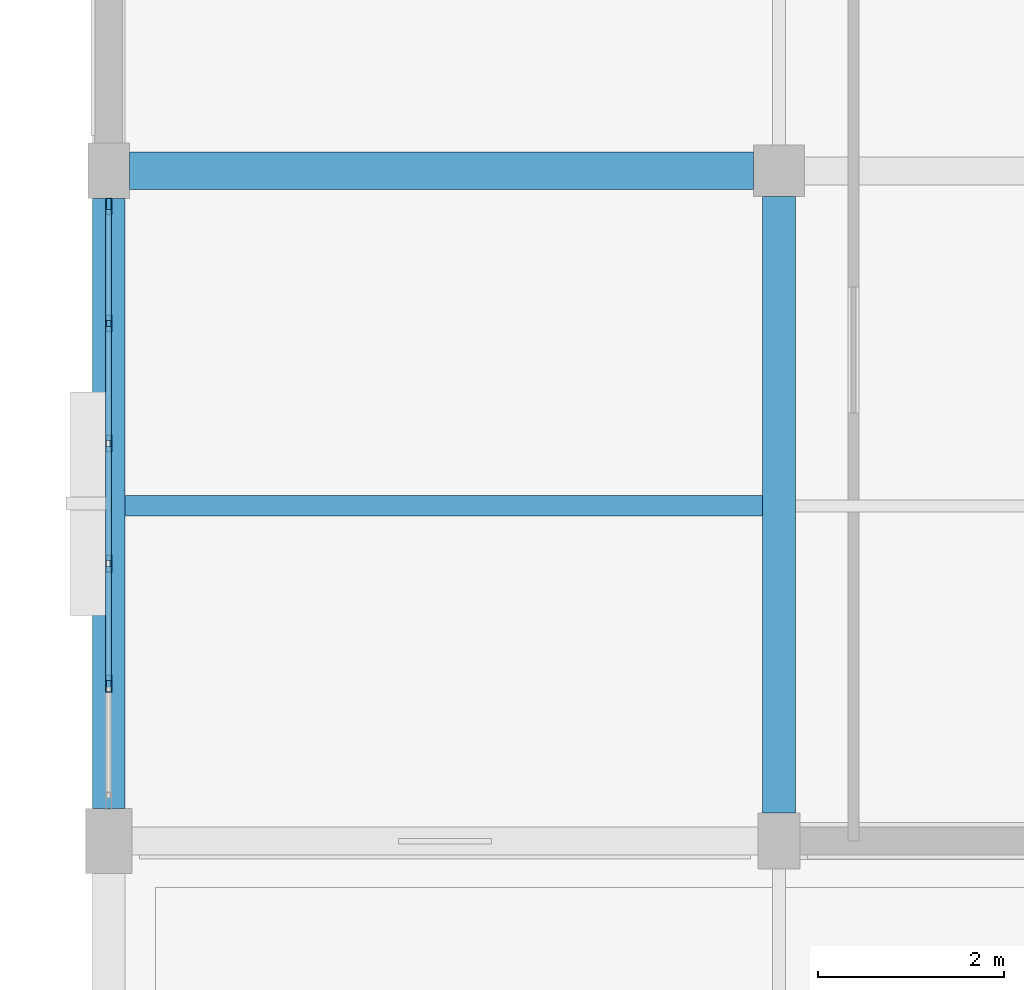
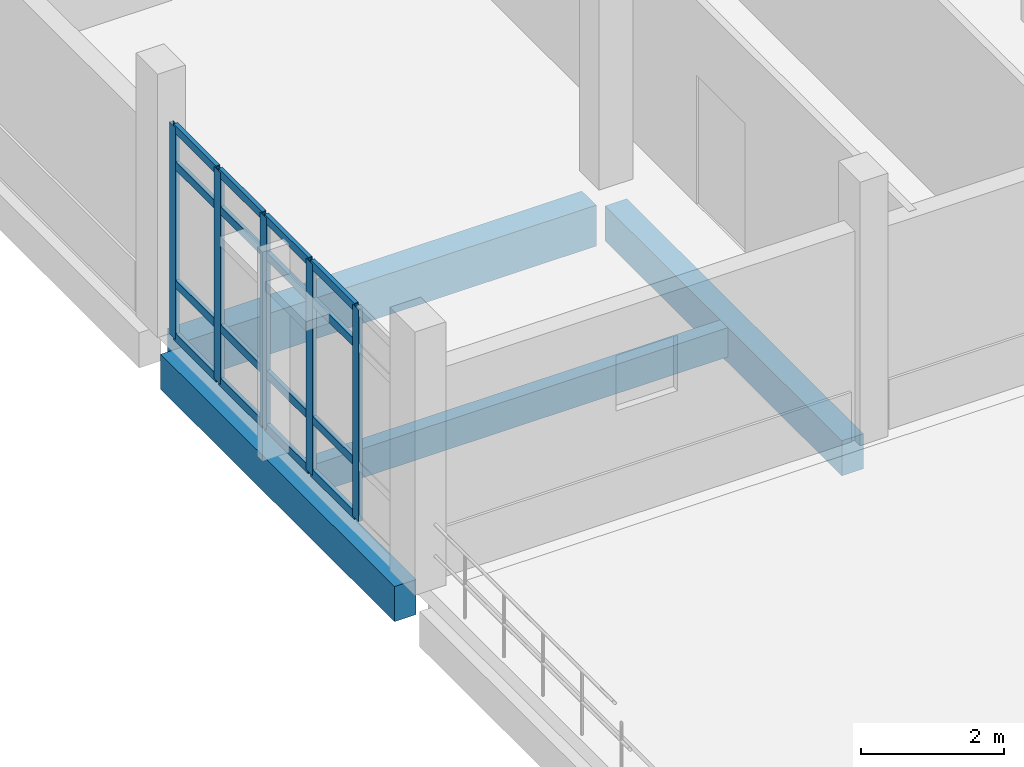
# One storey, part 6 of 57: 21 members, 4 beams, 1 element without a shape of its own.
"""IFC4 building model written with IfcOpenShell, lengths in metres."""

from ifc_helpers import new_model, si_unit, direction, frame, origin, origin_2d, place, context, subcontext, project, spatial, rectangle, hollow_rectangle, extrude, material, material_profile, profile_set, type_object, element, aggregate, save


model = new_model("IFC4")

# Units and contexts
model_context = context("Model", 3, precision=1e-05, world=origin(), true_north=direction((0.0, 1.0)))
body_context = subcontext(model_context, "Body", "Model", "MODEL_VIEW")
ifc_project = project(units=[si_unit("LENGTHUNIT", "METRE"), si_unit("AREAUNIT", "SQUARE_METRE"), si_unit("VOLUMEUNIT", "CUBIC_METRE"), si_unit("PLANEANGLEUNIT", "RADIAN"), si_unit("MASSUNIT", "GRAM", prefix="KILO")], contexts=[model_context])

# Site, building, storey
site_placement = place(None, origin())
site = spatial("IfcSite", under=ifc_project, at=site_placement, CompositionType="ELEMENT")
building_placement = place(site_placement, origin())
building = spatial("IfcBuilding", under=site, at=building_placement, Name="Kalluvel Institute of Natural Sciences", CompositionType="ELEMENT")
storey_placement = place(building_placement, frame((0.0, 0.0, 23.39990234375)))
storey = spatial("IfcBuildingStorey", under=building, at=storey_placement, Name="L05", CompositionType="ELEMENT", Elevation=23.39990234375)

# Beam
ifc_material_1 = material(Name="Concrete M40", Category="concrete")
ifc_material_profile_1 = material_profile(ifc_material_1, rectangle(XDim=0.35009765625, YDim=0.60009765625, at=origin_2d()), Name="RCB 350x600")
ifc_profile_set_1 = profile_set([ifc_material_profile_1], Name="Concrete M40")
beam_type_1 = type_object("IfcBeamType", Name="BM-RC350x600", PredefinedType="BEAM", material=ifc_profile_set_1)
beam_1_placement = place(storey_placement, frame((21.199951171875, 28.699951171875, -0.599853515625), z_axis=(0.0, 1.0, 0.0), x_axis=(-1.0, 0.0, 0.0)))
element("IfcBeam", 1, at=beam_1_placement, inside=storey, type_object=beam_type_1, Name="L05 girder GIR-L05-NS-X212-Y284", PredefinedType="BEAM", context=body_context, shape_type="SweptSolid", body=[
    extrude(rectangle(XDim=0.35009765625, YDim=0.60009765625, at=origin_2d()), origin(), (0.0, 0.0, 1.0), 6.625),
])

# Curtain wall, members
ifc_material_2 = material(Name="Aluminium AW-6063 T6", Category="aluminium")
curtain_wall_type = type_object("IfcCurtainWallType", Name="CW-DRY-45", PredefinedType="USERDEFINED", material=ifc_material_2)
curtain_wall_placement = place(storey_placement, origin())
curtain_wall = element("IfcCurtainWall", 2, at=curtain_wall_placement, inside=storey, type_object=curtain_wall_type, Name="L05 Gothic lancet curtain wall CWA-L05-X140-Y288", ObjectType="UNITISED LANCET FACADE", PredefinedType="USERDEFINED")
ifc_material_profile_2 = material_profile(ifc_material_2, hollow_rectangle(XDim=0.06494140625, YDim=0.179931640625, WallThickness=0.00439453125, at=origin_2d()), Name="CWM 65x180")
ifc_profile_set_2 = profile_set([ifc_material_profile_2], Name="Aluminium AW-6063 T6")
member_type_1 = type_object("IfcMemberType", Name="CWM-65x180", PredefinedType="MULLION", material=ifc_profile_set_2)
member_1_placement = place(storey_placement, frame((14.0, 30.090087890625, 0.0), z_axis=(0.0, 0.0, 1.0), x_axis=(-1.0, 0.0, 0.0)))
member_1 = element("IfcMember", 3, at=member_1_placement, type_object=member_type_1, Name="CW-03 mullion 2", PredefinedType="MULLION", context=body_context, shape_type="SweptSolid", body=[
    extrude(hollow_rectangle(XDim=0.06494140625, YDim=0.179931640625, WallThickness=0.00439453125, at=origin_2d()), origin(), (0.0, 0.0, 1.0), 3.6201171875),
])
member_2_placement = place(storey_placement, frame((14.0, 31.3798828125, 0.0), z_axis=(0.0, 0.0, 1.0), x_axis=(-1.0, 0.0, 0.0)))
member_2 = element("IfcMember", 4, at=member_2_placement, type_object=member_type_1, Name="CW-03 mullion 3", PredefinedType="MULLION", context=body_context, shape_type="SweptSolid", body=[
    extrude(hollow_rectangle(XDim=0.06494140625, YDim=0.179931640625, WallThickness=0.00439453125, at=origin_2d()), origin(), (0.0, 0.0, 1.0), 3.6201171875),
])
member_3_placement = place(storey_placement, frame((14.0, 32.669921875, 0.0), z_axis=(0.0, 0.0, 1.0), x_axis=(-1.0, 0.0, 0.0)))
member_3 = element("IfcMember", 5, at=member_3_placement, type_object=member_type_1, Name="CW-03 mullion 4", PredefinedType="MULLION", context=body_context, shape_type="SweptSolid", body=[
    extrude(hollow_rectangle(XDim=0.06494140625, YDim=0.179931640625, WallThickness=0.00439453125, at=origin_2d()), origin(), (0.0, 0.0, 1.0), 3.6201171875),
])
member_4_placement = place(storey_placement, frame((14.0, 33.9599609375, 0.0), z_axis=(0.0, 0.0, 1.0), x_axis=(-1.0, 0.0, 0.0)))
member_4 = element("IfcMember", 6, at=member_4_placement, type_object=member_type_1, Name="CW-03 mullion 5", PredefinedType="MULLION", context=body_context, shape_type="SweptSolid", body=[
    extrude(hollow_rectangle(XDim=0.06494140625, YDim=0.179931640625, WallThickness=0.00439453125, at=origin_2d()), origin(), (0.0, 0.0, 1.0), 3.6201171875),
])
member_5_placement = place(storey_placement, frame((14.0, 35.217529296875, 0.0), z_axis=(0.0, 0.0, 1.0), x_axis=(-1.0, 0.0, 0.0)))
member_5 = element("IfcMember", 7, at=member_5_placement, type_object=member_type_1, Name="CW-03 mullion 6", PredefinedType="MULLION", context=body_context, shape_type="SweptSolid", body=[
    extrude(hollow_rectangle(XDim=0.06494140625, YDim=0.179931640625, WallThickness=0.00439453125, at=origin_2d()), origin(), (0.0, 0.0, 1.0), 3.6201171875),
])
ifc_material_profile_3 = material_profile(ifc_material_2, hollow_rectangle(XDim=0.06494140625, YDim=0.139892578125, WallThickness=0.00439453125, at=origin_2d()), Name="CWT 65x140")
ifc_profile_set_3 = profile_set([ifc_material_profile_3], Name="Aluminium AW-6063 T6")
member_type_2 = type_object("IfcMemberType", Name="CWT-65x140", PredefinedType="USERDEFINED", material=ifc_profile_set_3)
member_6_placement = place(storey_placement, frame((14.0, 30.12255859375, 0.03271484375), z_axis=(0.0, 1.0, 0.0), x_axis=(-1.0, 0.0, 0.0)))
member_6 = element("IfcMember", 8, at=member_6_placement, type_object=member_type_2, Name="CW-03 transom 2.1", ObjectType="TRANSOM", PredefinedType="USERDEFINED", context=body_context, shape_type="SweptSolid", body=[
    extrude(hollow_rectangle(XDim=0.06494140625, YDim=0.139892578125, WallThickness=0.00439453125, at=origin_2d()), origin(), (0.0, 0.0, 1.0), 1.224853515625),
])
member_7_placement = place(storey_placement, frame((14.0, 30.12255859375, 0.9501953125), z_axis=(0.0, 1.0, 0.0), x_axis=(-1.0, 0.0, 0.0)))
member_7 = element("IfcMember", 9, at=member_7_placement, type_object=member_type_2, Name="CW-03 transom 2.2", ObjectType="TRANSOM", PredefinedType="USERDEFINED", context=body_context, shape_type="SweptSolid", body=[
    extrude(hollow_rectangle(XDim=0.06494140625, YDim=0.139892578125, WallThickness=0.00439453125, at=origin_2d()), origin(), (0.0, 0.0, 1.0), 1.224853515625),
])
member_8_placement = place(storey_placement, frame((14.0, 30.12255859375, 2.97021484375), z_axis=(0.0, 1.0, 0.0), x_axis=(-1.0, 0.0, 0.0)))
member_8 = element("IfcMember", 10, at=member_8_placement, type_object=member_type_2, Name="CW-03 transom 2.3", ObjectType="TRANSOM", PredefinedType="USERDEFINED", context=body_context, shape_type="SweptSolid", body=[
    extrude(hollow_rectangle(XDim=0.06494140625, YDim=0.139892578125, WallThickness=0.00439453125, at=origin_2d()), origin(), (0.0, 0.0, 1.0), 1.224853515625),
])
member_9_placement = place(storey_placement, frame((14.0, 30.12255859375, 3.587646484375), z_axis=(0.0, 1.0, 0.0), x_axis=(-1.0, 0.0, 0.0)))
member_9 = element("IfcMember", 11, at=member_9_placement, type_object=member_type_2, Name="CW-03 transom 2.4", ObjectType="TRANSOM", PredefinedType="USERDEFINED", context=body_context, shape_type="SweptSolid", body=[
    extrude(hollow_rectangle(XDim=0.06494140625, YDim=0.139892578125, WallThickness=0.00439453125, at=origin_2d()), origin(), (0.0, 0.0, 1.0), 1.224853515625),
])
member_10_placement = place(storey_placement, frame((14.0, 31.41259765625, 0.03271484375), z_axis=(0.0, 1.0, 0.0), x_axis=(-1.0, 0.0, 0.0)))
member_10 = element("IfcMember", 12, at=member_10_placement, type_object=member_type_2, Name="CW-03 transom 3.1", ObjectType="TRANSOM", PredefinedType="USERDEFINED", context=body_context, shape_type="SweptSolid", body=[
    extrude(hollow_rectangle(XDim=0.06494140625, YDim=0.139892578125, WallThickness=0.00439453125, at=origin_2d()), origin(), (0.0, 0.0, 1.0), 1.224853515625),
])
member_11_placement = place(storey_placement, frame((14.0, 31.41259765625, 0.9501953125), z_axis=(0.0, 1.0, 0.0), x_axis=(-1.0, 0.0, 0.0)))
member_11 = element("IfcMember", 13, at=member_11_placement, type_object=member_type_2, Name="CW-03 transom 3.2", ObjectType="TRANSOM", PredefinedType="USERDEFINED", context=body_context, shape_type="SweptSolid", body=[
    extrude(hollow_rectangle(XDim=0.06494140625, YDim=0.139892578125, WallThickness=0.00439453125, at=origin_2d()), origin(), (0.0, 0.0, 1.0), 1.224853515625),
])
member_12_placement = place(storey_placement, frame((14.0, 31.41259765625, 2.97021484375), z_axis=(0.0, 1.0, 0.0), x_axis=(-1.0, 0.0, 0.0)))
member_12 = element("IfcMember", 14, at=member_12_placement, type_object=member_type_2, Name="CW-03 transom 3.3", ObjectType="TRANSOM", PredefinedType="USERDEFINED", context=body_context, shape_type="SweptSolid", body=[
    extrude(hollow_rectangle(XDim=0.06494140625, YDim=0.139892578125, WallThickness=0.00439453125, at=origin_2d()), origin(), (0.0, 0.0, 1.0), 1.224853515625),
])
member_13_placement = place(storey_placement, frame((14.0, 31.41259765625, 3.587646484375), z_axis=(0.0, 1.0, 0.0), x_axis=(-1.0, 0.0, 0.0)))
member_13 = element("IfcMember", 15, at=member_13_placement, type_object=member_type_2, Name="CW-03 transom 3.4", ObjectType="TRANSOM", PredefinedType="USERDEFINED", context=body_context, shape_type="SweptSolid", body=[
    extrude(hollow_rectangle(XDim=0.06494140625, YDim=0.139892578125, WallThickness=0.00439453125, at=origin_2d()), origin(), (0.0, 0.0, 1.0), 1.224853515625),
])
member_14_placement = place(storey_placement, frame((14.0, 32.702392578125, 0.03271484375), z_axis=(0.0, 1.0, 0.0), x_axis=(-1.0, 0.0, 0.0)))
member_14 = element("IfcMember", 16, at=member_14_placement, type_object=member_type_2, Name="CW-03 transom 4.1", ObjectType="TRANSOM", PredefinedType="USERDEFINED", context=body_context, shape_type="SweptSolid", body=[
    extrude(hollow_rectangle(XDim=0.06494140625, YDim=0.139892578125, WallThickness=0.00439453125, at=origin_2d()), origin(), (0.0, 0.0, 1.0), 1.22509765625),
])
member_15_placement = place(storey_placement, frame((14.0, 32.702392578125, 0.9501953125), z_axis=(0.0, 1.0, 0.0), x_axis=(-1.0, 0.0, 0.0)))
member_15 = element("IfcMember", 17, at=member_15_placement, type_object=member_type_2, Name="CW-03 transom 4.2", ObjectType="TRANSOM", PredefinedType="USERDEFINED", context=body_context, shape_type="SweptSolid", body=[
    extrude(hollow_rectangle(XDim=0.06494140625, YDim=0.139892578125, WallThickness=0.00439453125, at=origin_2d()), origin(), (0.0, 0.0, 1.0), 1.22509765625),
])
member_16_placement = place(storey_placement, frame((14.0, 32.702392578125, 2.97021484375), z_axis=(0.0, 1.0, 0.0), x_axis=(-1.0, 0.0, 0.0)))
member_16 = element("IfcMember", 18, at=member_16_placement, type_object=member_type_2, Name="CW-03 transom 4.3", ObjectType="TRANSOM", PredefinedType="USERDEFINED", context=body_context, shape_type="SweptSolid", body=[
    extrude(hollow_rectangle(XDim=0.06494140625, YDim=0.139892578125, WallThickness=0.00439453125, at=origin_2d()), origin(), (0.0, 0.0, 1.0), 1.22509765625),
])
member_17_placement = place(storey_placement, frame((14.0, 32.702392578125, 3.587646484375), z_axis=(0.0, 1.0, 0.0), x_axis=(-1.0, 0.0, 0.0)))
member_17 = element("IfcMember", 19, at=member_17_placement, type_object=member_type_2, Name="CW-03 transom 4.4", ObjectType="TRANSOM", PredefinedType="USERDEFINED", context=body_context, shape_type="SweptSolid", body=[
    extrude(hollow_rectangle(XDim=0.06494140625, YDim=0.139892578125, WallThickness=0.00439453125, at=origin_2d()), origin(), (0.0, 0.0, 1.0), 1.22509765625),
])
member_18_placement = place(storey_placement, frame((14.0, 33.992431640625, 0.03271484375), z_axis=(0.0, 1.0, 0.0), x_axis=(-1.0, 0.0, 0.0)))
member_18 = element("IfcMember", 20, at=member_18_placement, type_object=member_type_2, Name="CW-03 transom 5.1", ObjectType="TRANSOM", PredefinedType="USERDEFINED", context=body_context, shape_type="SweptSolid", body=[
    extrude(hollow_rectangle(XDim=0.06494140625, YDim=0.139892578125, WallThickness=0.00439453125, at=origin_2d()), origin(), (0.0, 0.0, 1.0), 1.192626953125),
])
member_19_placement = place(storey_placement, frame((14.0, 33.992431640625, 0.9501953125), z_axis=(0.0, 1.0, 0.0), x_axis=(-1.0, 0.0, 0.0)))
member_19 = element("IfcMember", 21, at=member_19_placement, type_object=member_type_2, Name="CW-03 transom 5.2", ObjectType="TRANSOM", PredefinedType="USERDEFINED", context=body_context, shape_type="SweptSolid", body=[
    extrude(hollow_rectangle(XDim=0.06494140625, YDim=0.139892578125, WallThickness=0.00439453125, at=origin_2d()), origin(), (0.0, 0.0, 1.0), 1.192626953125),
])
member_20_placement = place(storey_placement, frame((14.0, 33.992431640625, 2.97021484375), z_axis=(0.0, 1.0, 0.0), x_axis=(-1.0, 0.0, 0.0)))
member_20 = element("IfcMember", 22, at=member_20_placement, type_object=member_type_2, Name="CW-03 transom 5.3", ObjectType="TRANSOM", PredefinedType="USERDEFINED", context=body_context, shape_type="SweptSolid", body=[
    extrude(hollow_rectangle(XDim=0.06494140625, YDim=0.139892578125, WallThickness=0.00439453125, at=origin_2d()), origin(), (0.0, 0.0, 1.0), 1.192626953125),
])
member_21_placement = place(storey_placement, frame((14.0, 33.992431640625, 3.587646484375), z_axis=(0.0, 1.0, 0.0), x_axis=(-1.0, 0.0, 0.0)))
member_21 = element("IfcMember", 23, at=member_21_placement, type_object=member_type_2, Name="CW-03 transom 5.4", ObjectType="TRANSOM", PredefinedType="USERDEFINED", context=body_context, shape_type="SweptSolid", body=[
    extrude(hollow_rectangle(XDim=0.06494140625, YDim=0.139892578125, WallThickness=0.00439453125, at=origin_2d()), origin(), (0.0, 0.0, 1.0), 1.192626953125),
])
aggregate(curtain_wall, [member_1, member_2, member_3, member_4, member_5, member_6, member_7, member_8, member_9, member_10, member_11, member_12, member_13, member_14, member_15, member_16, member_17, member_18, member_19, member_20, member_21])

# Beams
ifc_material_profile_4 = material_profile(ifc_material_1, rectangle(XDim=0.35009765625, YDim=0.60009765625, at=origin_2d()), Name="RCB 350x600")
ifc_profile_set_4 = profile_set([ifc_material_profile_4], Name="Concrete M40")
beam_type_2 = type_object("IfcBeamType", Name="SP-RC350x600", PredefinedType="SPANDREL", material=ifc_profile_set_4)
beam_2_placement = place(storey_placement, frame((14.0, 28.75, -0.599853515625), z_axis=(0.0, 1.0, 0.0), x_axis=(-1.0, 0.0, 0.0)))
element("IfcBeam", 24, at=beam_2_placement, inside=storey, type_object=beam_type_2, Name="L05 girder GIR-L05-NS-X140-Y284", PredefinedType="SPANDREL", context=body_context, shape_type="SweptSolid", body=[
    extrude(rectangle(XDim=0.35009765625, YDim=0.60009765625, at=origin_2d()), origin(), (0.0, 0.0, 1.0), 6.550048828125),
])
ifc_material_profile_5 = material_profile(ifc_material_1, rectangle(XDim=0.39990234375, YDim=0.699951171875, at=origin_2d()), Name="RCB 400x700")
ifc_profile_set_5 = profile_set([ifc_material_profile_5], Name="Concrete M40")
beam_type_3 = type_object("IfcBeamType", Name="SP-RC400x700", PredefinedType="SPANDREL", material=ifc_profile_set_5)
beam_3_placement = place(storey_placement, frame((14.22509765625, 35.60009765625, -0.64990234375), z_axis=(1.0, 0.0, 0.0), x_axis=(0.0, 1.0, 0.0)))
element("IfcBeam", 25, at=beam_3_placement, inside=storey, type_object=beam_type_3, Name="L05 girder GIR-L05-EW-X140-Y356", PredefinedType="SPANDREL", context=body_context, shape_type="SweptSolid", body=[
    extrude(rectangle(XDim=0.39990234375, YDim=0.699951171875, at=origin_2d()), origin(), (0.0, 0.0, 1.0), 6.699951171875),
])
ifc_material_profile_6 = material_profile(ifc_material_1, rectangle(XDim=0.219970703125, YDim=0.5, at=origin_2d()), Name="WAF 220x500")
ifc_profile_set_6 = profile_set([ifc_material_profile_6], Name="Concrete M40")
beam_type_4 = type_object("IfcBeamType", Name="WJ-220x500", PredefinedType="JOIST", material=ifc_profile_set_6)
beam_4_placement = place(storey_placement, frame((14.175048828125, 32.0, -0.5498046875), z_axis=(1.0, 0.0, 0.0), x_axis=(0.0, 1.0, 0.0)))
element("IfcBeam", 26, at=beam_4_placement, inside=storey, type_object=beam_type_4, Name="L05 floor rib RIB-L05-0734", PredefinedType="JOIST", context=body_context, shape_type="SweptSolid", body=[
    extrude(rectangle(XDim=0.219970703125, YDim=0.5, at=origin_2d()), origin(), (0.0, 0.0, 1.0), 6.849853515625),
])

save(model, "model.ifc")
